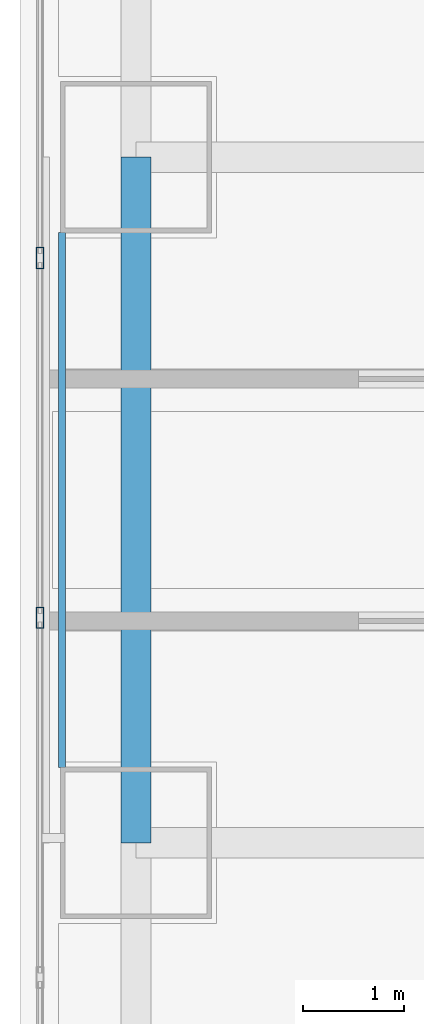
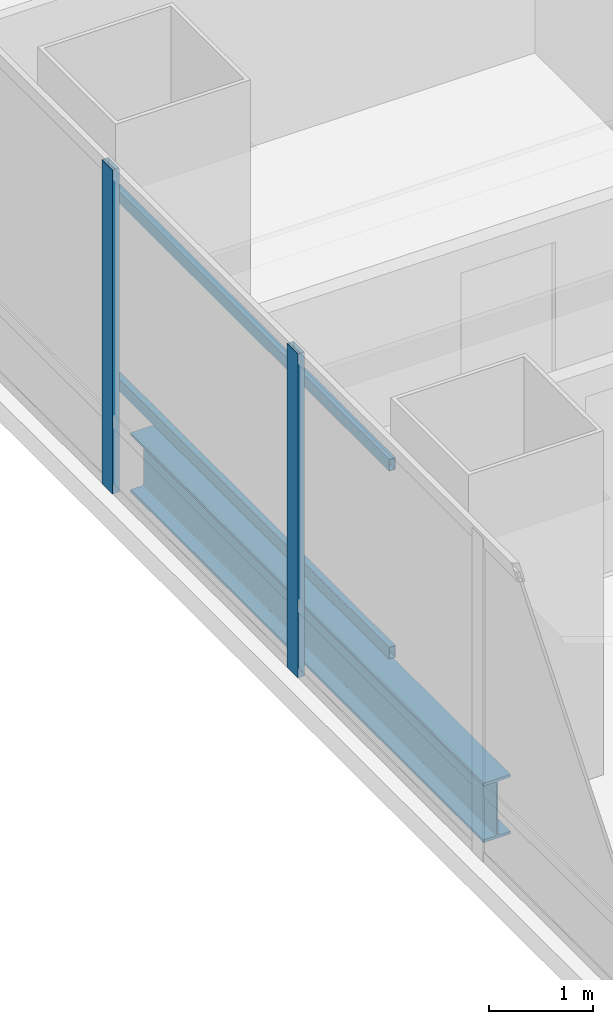
# One storey, part 9 of 34: 4 members, 1 beam, 1 element without a shape of its own.
"""IFC4 building model written with IfcOpenShell, lengths in metres."""

from ifc_helpers import new_model, si_unit, direction, frame, origin, origin_2d, place, context, subcontext, project, spatial, hollow_rectangle, i_section, extrude, material, material_profile, profile_set, type_object, element, aggregate, save


model = new_model("IFC4")

# Units and contexts
model_context = context("Model", 3, precision=1e-05, world=origin(), true_north=direction((0.0, 1.0)))
body_context = subcontext(model_context, "Body", "Model", "MODEL_VIEW")
ifc_project = project(units=[si_unit("LENGTHUNIT", "METRE"), si_unit("AREAUNIT", "SQUARE_METRE"), si_unit("VOLUMEUNIT", "CUBIC_METRE"), si_unit("PLANEANGLEUNIT", "RADIAN"), si_unit("MASSUNIT", "GRAM", prefix="KILO")], contexts=[model_context])

# Site, building, storey
site_placement = place(None, origin())
site = spatial("IfcSite", under=ifc_project, at=site_placement, CompositionType="ELEMENT")
building_placement = place(site_placement, origin())
building = spatial("IfcBuilding", under=site, at=building_placement, Name="Punatoya Terracotta Tower", CompositionType="ELEMENT")
storey_placement = place(building_placement, frame((0.0, 0.0, 105.14990234375)))
storey = spatial("IfcBuildingStorey", under=building, at=storey_placement, Name="L24", CompositionType="ELEMENT", Elevation=105.14990234375)

# Beam
ifc_material_1 = material(Name="Steel S355", Category="steel")
ifc_material_profile_1 = material_profile(ifc_material_1, i_section(OverallWidth=0.300048828125, OverallDepth=0.699951171875, WebThickness=0.01708984375, FlangeThickness=0.031982421875, FilletRadius=0.01806640625, at=origin_2d()))
ifc_profile_set_1 = profile_set([ifc_material_profile_1], Name="Steel S355")
beam_type = type_object("IfcBeamType", Name="BM-PRI-700", PredefinedType="BEAM", material=ifc_profile_set_1)
beam_placement = place(storey_placement, frame((-19.10009765625, -3.39990234375, -0.58984375), z_axis=(0.0, 1.0, 0.0), x_axis=(-1.0, 0.0, 0.0)))
element("IfcBeam", 1, at=beam_placement, inside=storey, type_object=beam_type, Name="BM-L24-RG-W2", PredefinedType="BEAM", context=body_context, shape_type="SweptSolid", body=[
    extrude(i_section(OverallWidth=0.300048828125, OverallDepth=0.699951171875, WebThickness=0.01708984375, FlangeThickness=0.031982421875, FilletRadius=0.01806640625, at=origin_2d()), origin(), (0.0, 0.0, 1.0), 6.7998046875),
])

# Curtain wall, members
ifc_material_2 = material(Name="Aluminium 6063-T6 + Double Low-E Glass", Category="aluminium")
curtain_wall_type = type_object("IfcCurtainWallType", Name="CW-M1", PredefinedType="NOTDEFINED", material=ifc_material_2)
curtain_wall_placement = place(storey_placement, origin())
curtain_wall = element("IfcCurtainWall", 2, at=curtain_wall_placement, inside=storey, type_object=curtain_wall_type, Name="L24 Curtain Wall CW-L24-W13-1", PredefinedType="NOTDEFINED")
ifc_material_3 = material(Name="Aluminium 6063-T6", Category="aluminium")
ifc_material_profile_2 = material_profile(ifc_material_3, hollow_rectangle(XDim=0.074951171875, YDim=0.2099609375, WallThickness=0.00439453125, at=origin_2d()))
ifc_profile_set_2 = profile_set([ifc_material_profile_2], Name="Aluminium 6063-T6")
member_type_1 = type_object("IfcMemberType", Name="CW-MUL-M1", PredefinedType="MULLION", material=ifc_profile_set_2)
member_1_placement = place(storey_placement, frame((-20.050048828125, 2.39990234375, 0.0), z_axis=(0.0, 0.0, 1.0), x_axis=(1.0, 0.0, 0.0)))
member_1 = element("IfcMember", 3, at=member_1_placement, type_object=member_type_1, Name="CW-L24-W13-1 Mullion 05", PredefinedType="MULLION", context=body_context, shape_type="SweptSolid", body=[
    extrude(hollow_rectangle(XDim=0.074951171875, YDim=0.2099609375, WallThickness=0.00439453125, at=origin_2d()), origin(), (0.0, 0.0, 1.0), 3.81005859375),
])
member_2_placement = place(storey_placement, frame((-20.050048828125, -1.16748046875, 0.0), z_axis=(0.0, 0.0, 1.0), x_axis=(1.0, 0.0, 0.0)))
member_2 = element("IfcMember", 4, at=member_2_placement, type_object=member_type_1, Name="CW-L24-W13-1 Mullion 06", PredefinedType="MULLION", context=body_context, shape_type="SweptSolid", body=[
    extrude(hollow_rectangle(XDim=0.074951171875, YDim=0.2099609375, WallThickness=0.00439453125, at=origin_2d()), origin(), (0.0, 0.0, 1.0), 3.81005859375),
])
aggregate(curtain_wall, [member_1, member_2])

# Members
ifc_material_profile_3 = material_profile(ifc_material_1, hollow_rectangle(XDim=0.070068359375, YDim=0.139892578125, WallThickness=0.006103515625, at=origin_2d()))
ifc_profile_set_3 = profile_set([ifc_material_profile_3], Name="Steel S355")
member_type_2 = type_object("IfcMemberType", Name="MEM-BAG-RAIL", PredefinedType="USERDEFINED", material=ifc_profile_set_3)
for number, where, z_axis, x_axis, name in (
    (5, (-19.83203125, -2.650390625, 1.050048828125), (0.0, 1.0, 0.0), (-1.0, 0.0, 0.0), "L24 Terracotta Baguette Carrier Rail BAG-L24-W-R1"),
    (6, (-19.83203125, -2.650390625, 3.260009765625), (0.0, 1.0, 0.0), (-1.0, 0.0, 0.0), "L24 Terracotta Baguette Carrier Rail BAG-L24-W-R2"),
):
    element("IfcMember", number, at=place(storey_placement, frame(where, z_axis=z_axis, x_axis=x_axis)), inside=storey, type_object=member_type_2, Name=name, ObjectType="BAGUETTE", PredefinedType="USERDEFINED", context=body_context, shape_type="SweptSolid", body=[
        extrude(hollow_rectangle(XDim=0.070068359375, YDim=0.139892578125, WallThickness=0.006103515625, at=origin_2d()), origin(), (0.0, 0.0, 1.0), 5.30078125),
    ])

save(model, "model.ifc")
